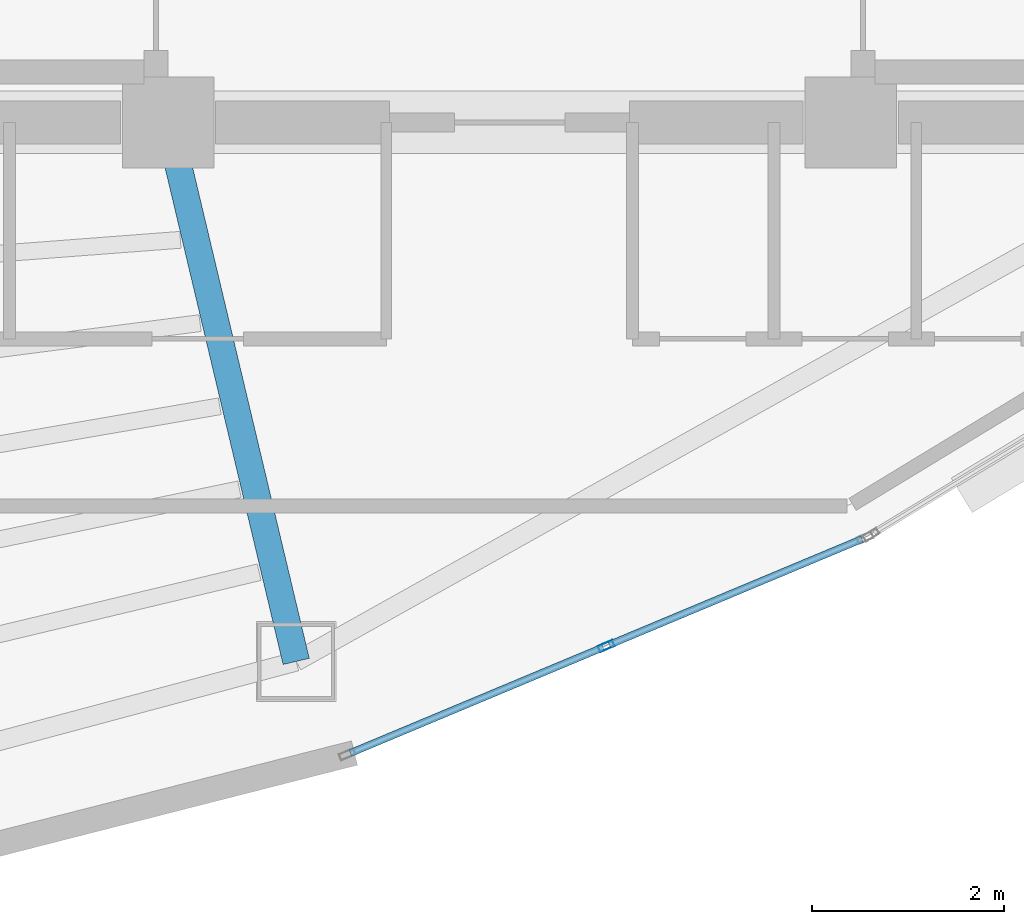
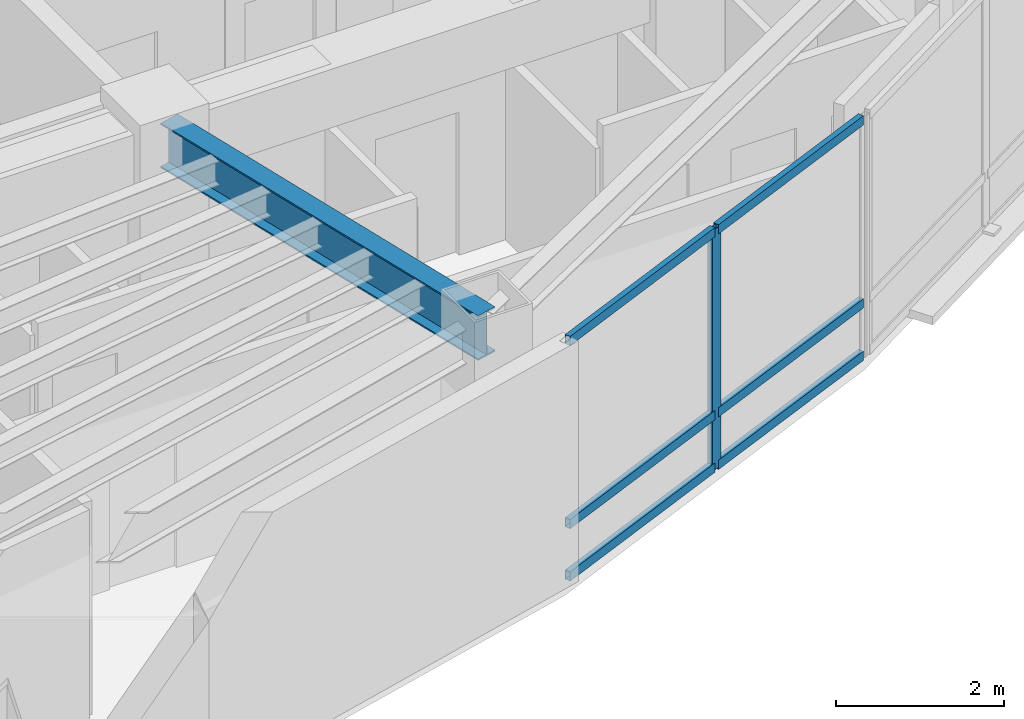
# One storey, part 3 of 16: 7 members, 1 beam, 1 element without a shape of its own.
"""IFC4 building model written with IfcOpenShell, lengths in metres."""

import ifcopenshell
import ifcopenshell.guid

model = None  # the IFC model being written
_history = None  # IfcOwnerHistory: only IFC2X3 demands one
_inside = {}  # id of a spatial element -> (the spatial element, [elements in it])
_under = {}  # id of a project, library or spatial element -> (it, [spatial elements below it])
_declared = {}  # id of a project -> (the project, [libraries it declares])
_typed = {}  # id of a type object -> (the type object, [elements of that type])
_made_of = {}  # id of a material, layer set ... -> (it, [elements and type objects made of it])


def new_model(schema):
    """Start an empty IFC model of exactly this schema.

    Asked for "IFC4X3", IfcOpenShell would pick the latest addendum, in which some entities
    have other attributes; the version numbers below select the first issue.
    IFC2X3 requires an IfcOwnerHistory on every rooted entity: one is made here for all.
    """
    global model, _history
    if schema == "IFC4X3":
        model = ifcopenshell.file(schema_version=(4, 3, 0, 0))
    else:
        model = ifcopenshell.file(schema=schema)
    _inside.clear()
    _under.clear()
    _declared.clear()
    _typed.clear()
    _made_of.clear()
    _history = None
    if model.schema == "IFC2X3":
        org = make("IfcOrganization", Name="unknown")
        user = make(
            "IfcPersonAndOrganization",
            ThePerson=make("IfcPerson", FamilyName="unknown"),
            TheOrganization=org,
        )
        app = make(
            "IfcApplication",
            ApplicationDeveloper=org,
            Version="unknown",
            ApplicationFullName="unknown",
            ApplicationIdentifier="unknown",
        )
        _history = make(
            "IfcOwnerHistory",
            OwningUser=user,
            OwningApplication=app,
            ChangeAction="ADDED",
            CreationDate=0,
        )
    return model


def make(cls, **values):
    """One entity of the class cls with the attributes given. An attribute that is None is left unset."""
    return model.create_entity(
        cls, **{name: value for name, value in values.items() if value is not None}
    )


def rooted(cls, **values):
    """An entity with a GlobalId (a new one), such as an element, a storey or a relation."""
    return make(cls, GlobalId=ifcopenshell.guid.new(), OwnerHistory=_history, **values)


def si_unit(unit_type, name, prefix=None):
    """IfcSIUnit, for example si_unit("LENGTHUNIT", "METRE", prefix="MILLI")."""
    return make("IfcSIUnit", UnitType=unit_type, Prefix=prefix, Name=name)


def assignment(units):
    """IfcUnitAssignment: the units of a project."""
    return None if units is None else make("IfcUnitAssignment", Units=units)


def point(xyz):
    """IfcCartesianPoint."""
    return None if xyz is None else make("IfcCartesianPoint", Coordinates=xyz)


def direction(xyz):
    """IfcDirection."""
    return None if xyz is None else make("IfcDirection", DirectionRatios=xyz)


def frame(location, z_axis=None, x_axis=None):
    """IfcAxis2Placement3D, a coordinate frame: its origin and axes. An axis left out is left unset."""
    return make(
        "IfcAxis2Placement3D",
        Location=point(location),
        Axis=direction(z_axis),
        RefDirection=direction(x_axis),
    )


def frame_2d(location, x_axis=None):
    """IfcAxis2Placement2D, a coordinate frame in the plane: its origin and x axis."""
    return make(
        "IfcAxis2Placement2D", Location=point(location), RefDirection=direction(x_axis)
    )


def origin():
    """The frame at (0, 0, 0) with its axes left unset."""
    return frame((0.0, 0.0, 0.0))


def origin_2d():
    """The frame at (0, 0) in the plane with its x axis left unset."""
    return frame_2d((0.0, 0.0))


def place(relative_to, where):
    """IfcLocalPlacement: puts the frame where relative to a parent placement (None: the world)."""
    return make(
        "IfcLocalPlacement", PlacementRelTo=relative_to, RelativePlacement=where
    )


def context(
    kind, dimensions, precision=None, world=None, true_north=None, identifier=None
):
    """IfcGeometricRepresentationContext, for example the 3D "Model" context."""
    return make(
        "IfcGeometricRepresentationContext",
        ContextIdentifier=identifier,
        ContextType=kind,
        CoordinateSpaceDimension=dimensions,
        Precision=precision,
        WorldCoordinateSystem=world,
        TrueNorth=true_north,
    )


def subcontext(parent, identifier, kind, view, scale=None):
    """IfcGeometricRepresentationSubContext, for example "Body" below "Model"."""
    return make(
        "IfcGeometricRepresentationSubContext",
        ContextIdentifier=identifier,
        ContextType=kind,
        ParentContext=parent,
        TargetScale=scale,
        TargetView=view,
    )


def project(units=None, contexts=None):
    """IfcProject with its units and contexts."""
    return rooted(
        "IfcProject",
        Name="project",
        RepresentationContexts=contexts,
        UnitsInContext=assignment(units),
    )


def spatial(cls, under=None, at=None, **own):
    """A site, building, storey or space (cls), placed at a placement, below another one or the project."""
    s = rooted(cls, ObjectPlacement=at, **own)
    if under is not None:
        _under.setdefault(under.id(), (under, []))[1].append(s)
    return s


def profile(cls, at=None, kind="AREA", **sizes):
    """A parametric profile (cls). Its sizes go by their IFC names, for example OverallWidth=200.0."""
    return make(cls, ProfileType=kind, Position=at, **sizes)


def hollow_rectangle(**sizes):
    """IfcRectangleHollowProfileDef."""
    return profile("IfcRectangleHollowProfileDef", **sizes)


def i_section(**sizes):
    """IfcIShapeProfileDef."""
    return profile("IfcIShapeProfileDef", **sizes)


def extrude(swept, where, along, depth):
    """IfcExtrudedAreaSolid: the profile swept, set in the frame where, extruded along a direction by depth."""
    return make(
        "IfcExtrudedAreaSolid",
        SweptArea=swept,
        Position=where,
        ExtrudedDirection=direction(along),
        Depth=depth,
    )


def shape(context_of_items, identifier, shape_type, items):
    """IfcShapeRepresentation: the items that make up one representation, for example the "Body"."""
    return make(
        "IfcShapeRepresentation",
        ContextOfItems=context_of_items,
        RepresentationIdentifier=identifier,
        RepresentationType=shape_type,
        Items=items,
    )


def material(Name=None, Category=None):
    """IfcMaterial."""
    return make("IfcMaterial", Name=Name, Category=Category)


def layer(
    of_material, thickness, ventilated=None, Name=None, Category=None, Priority=None
):
    """IfcMaterialLayer: one layer of a wall or slab, of a material (None: an air gap)."""
    return make(
        "IfcMaterialLayer",
        Material=of_material,
        LayerThickness=thickness,
        IsVentilated=ventilated,
        Name=Name,
        Category=Category,
        Priority=Priority,
    )


def layer_set(layers, Name=None):
    """IfcMaterialLayerSet."""
    return make("IfcMaterialLayerSet", MaterialLayers=layers, LayerSetName=Name)


def material_profile(
    of_material, cross_section, Name=None, Category=None, Priority=None
):
    """IfcMaterialProfile: a cross section and its material."""
    return make(
        "IfcMaterialProfile",
        Name=Name,
        Material=of_material,
        Profile=cross_section,
        Priority=Priority,
        Category=Category,
    )


def profile_set(profiles, Name=None, composite=None):
    """IfcMaterialProfileSet."""
    return make(
        "IfcMaterialProfileSet",
        Name=Name,
        MaterialProfiles=profiles,
        CompositeProfile=composite,
    )


def made_of(thing, what):
    """Note that an element or type object is made of a material, layer set ...; save() writes the relation."""
    if what is not None:
        _made_of.setdefault(what.id(), (what, []))[1].append(thing)
    return thing


def type_object(cls, material=None, **own):
    """A type object (cls), such as IfcWallType, which elements share."""
    return made_of(rooted(cls, **own), material)


def element(
    cls,
    number,
    at=None,
    inside=None,
    cuts=None,
    type_object=None,
    material=None,
    context=None,
    identifier="Body",
    shape_type=None,
    held_by="IfcProductDefinitionShape",
    body=None,
    shapes=None,
    **own,
):
    """One element of the class cls, such as IfcWall. Its Tag is "e" and its number.

    at: its placement. inside: the storey or other place that contains it. cuts: it is an
    opening in that element (IfcRelVoidsElement). A single representation is given by context,
    identifier, shape_type and body (its items); several are given by shapes. held_by: the class
    of the entity that holds the representations. save() writes the other relations.
    """
    e = rooted(cls, Tag="e%d" % number, ObjectPlacement=at, **own)
    if body is not None:
        shapes = [shape(context, identifier, shape_type, body)]
    if shapes is not None:
        e.Representation = make(held_by, Representations=shapes)
    if inside is not None:
        _inside.setdefault(inside.id(), (inside, []))[1].append(e)
    if cuts is not None:
        rooted(
            "IfcRelVoidsElement", RelatingBuildingElement=cuts, RelatedOpeningElement=e
        )
    if type_object is not None:
        _typed.setdefault(type_object.id(), (type_object, []))[1].append(e)
    return made_of(e, material)


def aggregate(whole, parts):
    """IfcRelAggregates: a whole, such as a stair, and the parts it consists of."""
    return rooted("IfcRelAggregates", RelatingObject=whole, RelatedObjects=parts)


def save(model, path):
    """Write the relations noted so far, then the file.

    IfcRelAggregates (storeys below a building ...), IfcRelContainedInSpatialStructure (elements
    in a storey), IfcRelDefinesByType, IfcRelAssociatesMaterial and IfcRelDeclares: one each for
    every whole, place, type object, material and project.
    """
    for whole, parts in _under.values():
        aggregate(whole, parts)
    for where, things in _inside.values():
        rooted(
            "IfcRelContainedInSpatialStructure",
            RelatedElements=things,
            RelatingStructure=where,
        )
    for kind, things in _typed.values():
        rooted("IfcRelDefinesByType", RelatedObjects=things, RelatingType=kind)
    for what, things in _made_of.values():
        rooted("IfcRelAssociatesMaterial", RelatedObjects=things, RelatingMaterial=what)
    for by, libraries in _declared.values():
        rooted("IfcRelDeclares", RelatingContext=by, RelatedDefinitions=libraries)
    model.write(path)


model = new_model("IFC4")

# Units and contexts
model_context = context("Model", 3, precision=1e-05, world=origin(), true_north=direction((0.0, 1.0)))
body_context = subcontext(model_context, "Body", "Model", "MODEL_VIEW")
ifc_project = project(units=[si_unit("LENGTHUNIT", "METRE"), si_unit("AREAUNIT", "SQUARE_METRE"), si_unit("VOLUMEUNIT", "CUBIC_METRE"), si_unit("PLANEANGLEUNIT", "RADIAN"), si_unit("MASSUNIT", "GRAM", prefix="KILO")], contexts=[model_context])

# Site, building, storey
site_placement = place(None, origin())
site = spatial("IfcSite", under=ifc_project, at=site_placement, CompositionType="ELEMENT")
building_placement = place(site_placement, origin())
building = spatial("IfcBuilding", under=site, at=building_placement, Name="Menara Vayukalpa", CompositionType="ELEMENT")
storey_placement = place(building_placement, frame((0.0, 0.0, 280.6201171875)))
storey = spatial("IfcBuildingStorey", under=building, at=storey_placement, Name="L71", CompositionType="ELEMENT", Elevation=280.6201171875)

# Beam
ifc_material_1 = material(Name="Steel S355", Category="steel")
ifc_material_profile_1 = material_profile(ifc_material_1, i_section(OverallWidth=0.280029296875, OverallDepth=0.64990234375, WebThickness=0.012939453125, FlangeThickness=0.02197265625, at=origin_2d()), Name="WF 650x280x13x22")
ifc_profile_set_1 = profile_set([ifc_material_profile_1], Name="Steel S355")
beam_type = type_object("IfcBeamType", Name="BM-PG6", PredefinedType="BEAM", material=ifc_profile_set_1)
beam_placement = place(storey_placement, frame((22.10791015625, 16.956787109375, 3.1748046875), z_axis=(0.231167310854, -0.972914011818, 0.0), x_axis=(0.972914011818, 0.231167310854, 0.0)))
element("IfcBeam", 1, at=beam_placement, inside=storey, type_object=beam_type, Name="L71 Primary Radial Girder RG08", PredefinedType="BEAM", context=body_context, shape_type="SweptSolid", body=[
    extrude(i_section(OverallWidth=0.280029296875, OverallDepth=0.64990234375, WebThickness=0.012939453125, FlangeThickness=0.02197265625, at=origin_2d()), origin(), (0.0, 0.0, 1.0), 5.5107421875),
])

# Curtain wall, members
ifc_material_2 = material(Name="Anodised Terracotta Aluminium Alloy 6063-T6", Category="masonry")
ifc_layer = layer(ifc_material_2, 0.1650390625)
ifc_layer_set = layer_set([ifc_layer], Name="Anodised Terracotta Aluminium Alloy 6063-T6")
curtain_wall_type = type_object("IfcCurtainWallType", Name="CW-CW6", PredefinedType="USERDEFINED", material=ifc_layer_set)
curtain_wall_placement = place(storey_placement, origin())
curtain_wall = element("IfcCurtainWall", 2, at=curtain_wall_placement, inside=storey, type_object=curtain_wall_type, Name="L71 Observation and Executive Curtain Wall CW6 16", ObjectType="UNITISED", PredefinedType="USERDEFINED")
ifc_material_3 = material(Name="Anodised Terracotta Aluminium Alloy 6063-T6", Category="masonry")
ifc_material_profile_2 = material_profile(ifc_material_3, hollow_rectangle(XDim=0.070068359375, YDim=0.1650390625, WallThickness=0.00390625, at=origin_2d()), Name="ALU 70x165x4")
ifc_profile_set_2 = profile_set([ifc_material_profile_2], Name="Anodised Terracotta Aluminium Alloy 6063-T6")
member_type_1 = type_object("IfcMemberType", Name="CWM-CW6", PredefinedType="MULLION", material=ifc_profile_set_2)
member_1_placement = place(storey_placement, frame((26.60595703125, 11.7548828125, 0.0), z_axis=(0.0, 0.0, 1.0), x_axis=(-0.385899911703, 0.922540653927, 0.0)))
member_1 = element("IfcMember", 3, at=member_1_placement, type_object=member_type_1, Name="CW6 mullion 2", PredefinedType="MULLION", context=body_context, shape_type="SweptSolid", body=[
    extrude(hollow_rectangle(XDim=0.070068359375, YDim=0.1650390625, WallThickness=0.00390625, at=origin_2d()), origin(), (0.0, 0.0, 1.0), 3.5),
])
ifc_material_4 = material(Name="Anodised Terracotta Aluminium Alloy 6063-T6", Category="masonry")
ifc_material_profile_3 = material_profile(ifc_material_4, hollow_rectangle(XDim=0.074951171875, YDim=0.135009765625, WallThickness=0.00390625, at=origin_2d()), Name="ALU 75x135x4")
ifc_profile_set_3 = profile_set([ifc_material_profile_3], Name="Anodised Terracotta Aluminium Alloy 6063-T6")
member_type_2 = type_object("IfcMemberType", Name="CWT-CW6", PredefinedType="USERDEFINED", material=ifc_profile_set_3)
member_2_placement = place(storey_placement, frame((23.945556640625, 10.64208984375, 0.037353515625), z_axis=(0.922541050276, 0.38589896418, 0.0), x_axis=(-0.38589896418, 0.922541050276, 0.0)))
member_2 = element("IfcMember", 4, at=member_2_placement, type_object=member_type_2, Name="CW6 transom 1.1", ObjectType="TRANSOM", PredefinedType="USERDEFINED", context=body_context, shape_type="SweptSolid", body=[
    extrude(hollow_rectangle(XDim=0.074951171875, YDim=0.135009765625, WallThickness=0.00390625, at=origin_2d()), origin(), (0.0, 0.0, 1.0), 2.848876953125),
])
member_3_placement = place(storey_placement, frame((23.945556640625, 10.64208984375, 0.7998046875), z_axis=(0.922541050276, 0.38589896418, 0.0), x_axis=(-0.38589896418, 0.922541050276, 0.0)))
member_3 = element("IfcMember", 5, at=member_3_placement, type_object=member_type_2, Name="CW6 transom 1.2", ObjectType="TRANSOM", PredefinedType="USERDEFINED", context=body_context, shape_type="SweptSolid", body=[
    extrude(hollow_rectangle(XDim=0.074951171875, YDim=0.135009765625, WallThickness=0.00390625, at=origin_2d()), origin(), (0.0, 0.0, 1.0), 2.848876953125),
])
member_4_placement = place(storey_placement, frame((23.945556640625, 10.64208984375, 3.46240234375), z_axis=(0.922541050276, 0.38589896418, 0.0), x_axis=(-0.38589896418, 0.922541050276, 0.0)))
member_4 = element("IfcMember", 6, at=member_4_placement, type_object=member_type_2, Name="CW6 transom 1.3", ObjectType="TRANSOM", PredefinedType="USERDEFINED", context=body_context, shape_type="SweptSolid", body=[
    extrude(hollow_rectangle(XDim=0.074951171875, YDim=0.135009765625, WallThickness=0.00390625, at=origin_2d()), origin(), (0.0, 0.0, 1.0), 2.848876953125),
])
member_5_placement = place(storey_placement, frame((26.638427734375, 11.768310546875, 0.037353515625), z_axis=(0.922528286758, 0.385929475592, 0.0), x_axis=(-0.385929475592, 0.922528286758, 0.0)))
member_5 = element("IfcMember", 7, at=member_5_placement, type_object=member_type_2, Name="CW6 transom 2.1", ObjectType="TRANSOM", PredefinedType="USERDEFINED", context=body_context, shape_type="SweptSolid", body=[
    extrude(hollow_rectangle(XDim=0.074951171875, YDim=0.135009765625, WallThickness=0.00390625, at=origin_2d()), origin(), (0.0, 0.0, 1.0), 2.8486328125),
])
member_6_placement = place(storey_placement, frame((26.638427734375, 11.768310546875, 0.7998046875), z_axis=(0.922528286758, 0.385929475592, 0.0), x_axis=(-0.385929475592, 0.922528286758, 0.0)))
member_6 = element("IfcMember", 8, at=member_6_placement, type_object=member_type_2, Name="CW6 transom 2.2", ObjectType="TRANSOM", PredefinedType="USERDEFINED", context=body_context, shape_type="SweptSolid", body=[
    extrude(hollow_rectangle(XDim=0.074951171875, YDim=0.135009765625, WallThickness=0.00390625, at=origin_2d()), origin(), (0.0, 0.0, 1.0), 2.8486328125),
])
member_7_placement = place(storey_placement, frame((26.638427734375, 11.768310546875, 3.46240234375), z_axis=(0.922528286758, 0.385929475592, 0.0), x_axis=(-0.385929475592, 0.922528286758, 0.0)))
member_7 = element("IfcMember", 9, at=member_7_placement, type_object=member_type_2, Name="CW6 transom 2.3", ObjectType="TRANSOM", PredefinedType="USERDEFINED", context=body_context, shape_type="SweptSolid", body=[
    extrude(hollow_rectangle(XDim=0.074951171875, YDim=0.135009765625, WallThickness=0.00390625, at=origin_2d()), origin(), (0.0, 0.0, 1.0), 2.8486328125),
])
aggregate(curtain_wall, [member_1, member_2, member_3, member_4, member_5, member_6, member_7])

save(model, "model.ifc")
